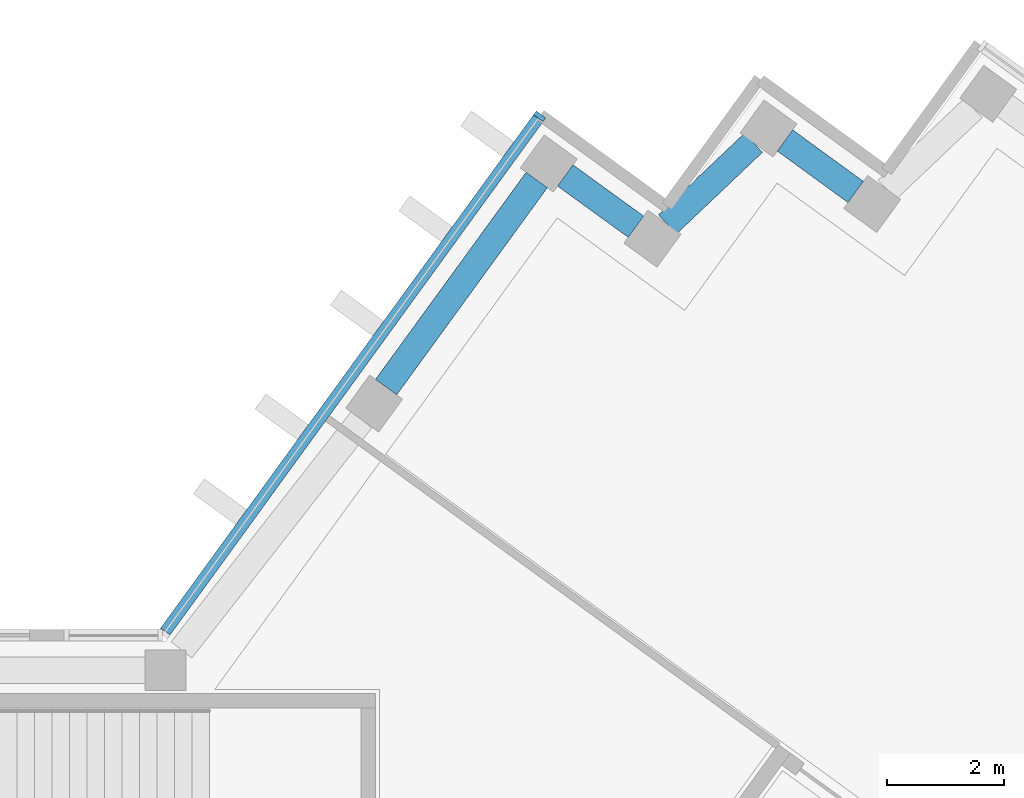
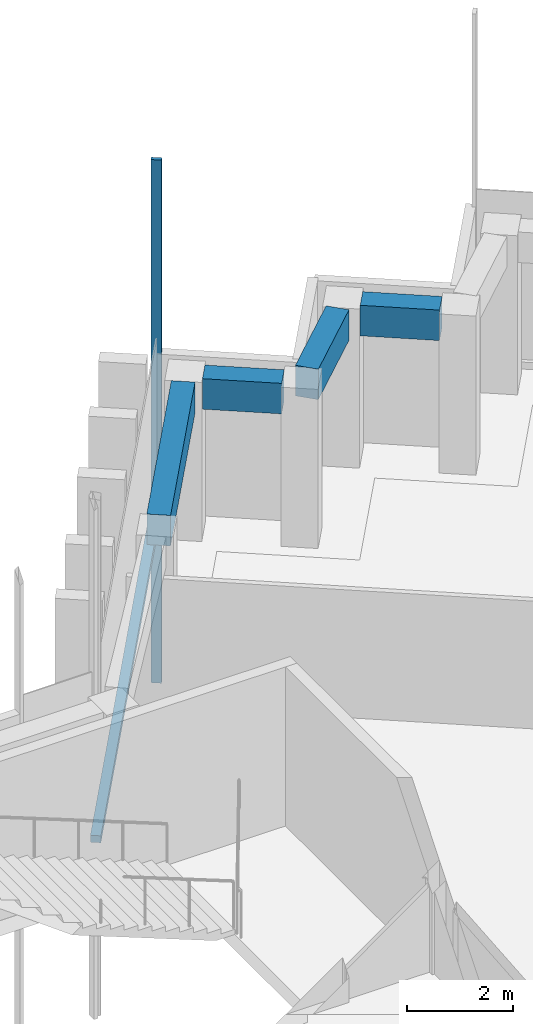
# One storey, part 4 of 14: 4 beams, 2 members, 1 element without a shape of its own.
"""IFC4 building model written with IfcOpenShell, lengths in metres."""

from ifc_helpers import new_model, si_unit, direction, frame, origin, origin_2d, place, context, subcontext, project, spatial, rectangle, extrude, material, material_profile, profile_set, type_object, element, aggregate, save


model = new_model("IFC4")

# Units and contexts
model_context = context("Model", 3, precision=1e-05, world=origin(), true_north=direction((0.0, 1.0)))
body_context = subcontext(model_context, "Body", "Model", "MODEL_VIEW")
ifc_project = project(units=[si_unit("LENGTHUNIT", "METRE"), si_unit("AREAUNIT", "SQUARE_METRE"), si_unit("VOLUMEUNIT", "CUBIC_METRE"), si_unit("PLANEANGLEUNIT", "RADIAN"), si_unit("MASSUNIT", "GRAM", prefix="KILO")], contexts=[model_context])

# Site, building, storey
site_placement = place(None, origin())
site = spatial("IfcSite", under=ifc_project, at=site_placement, CompositionType="ELEMENT")
building_placement = place(site_placement, origin())
building = spatial("IfcBuilding", under=site, at=building_placement, Name="Quipu Civic Tower", CompositionType="ELEMENT")
storey_placement = place(building_placement, frame((0.0, 0.0, 257.0)))
storey = spatial("IfcBuildingStorey", under=building, at=storey_placement, Name="L60", CompositionType="ELEMENT", Elevation=257.0)

# Curtain wall, member
ifc_material_1 = material(Name="Insulated glass unit", Category="glass")
curtain_wall_type = type_object("IfcCurtainWallType", Name="Office curtain wall CW1", PredefinedType="NOTDEFINED", material=ifc_material_1)
curtain_wall_placement = place(storey_placement, origin())
curtain_wall = element("IfcCurtainWall", 1, at=curtain_wall_placement, inside=storey, type_object=curtain_wall_type, Name="Office curtain wall CW1 L59 run 23", PredefinedType="NOTDEFINED")
ifc_material_2 = material(Name="Anodised aluminium", Category="aluminium")
ifc_material_profile_1 = material_profile(ifc_material_2, rectangle(XDim=0.199951171875, YDim=0.080078125, at=origin_2d()), Name="RECT 200x80")
ifc_profile_set_1 = profile_set([ifc_material_profile_1], Name="Anodised aluminium")
member_type_1 = type_object("IfcMemberType", Name="Mullion CW1", PredefinedType="MULLION", material=ifc_profile_set_1)
member_1_placement = place(storey_placement, frame((20.8125, 20.002685546875, -3.919921875), z_axis=(0.0, 0.0, 1.0), x_axis=(0.809015163947, -0.587787771652, 0.0)))
member_1 = element("IfcMember", 2, at=member_1_placement, type_object=member_type_1, Name="CW1 mullion 1", PredefinedType="MULLION", context=body_context, shape_type="SweptSolid", body=[
    extrude(rectangle(XDim=0.199951171875, YDim=0.080078125, at=origin_2d()), origin(), (0.0, 0.0, 1.0), 12.0),
])

# Beams
ifc_material_3 = material(Name="Concrete C50/60", Category="concrete")
ifc_material_profile_2 = material_profile(ifc_material_3, rectangle(XDim=0.449951171875, YDim=0.699951171875, at=origin_2d()), Name="RC450x700")
ifc_profile_set_2 = profile_set([ifc_material_profile_2], Name="Concrete C50/60")
beam_type = type_object("IfcBeamType", Name="Spandrel beam RC 450x700 C50/60", PredefinedType="SPANDREL", material=ifc_profile_set_2)
beam_1_placement = place(storey_placement, frame((26.236083984375, 18.70654296875, 3.300048828125), z_axis=(-0.808644589435, 0.588297482553, 0.0), x_axis=(-0.588297482553, -0.808644589435, 0.0)))
element("IfcBeam", 3, at=beam_1_placement, inside=storey, type_object=beam_type, Name="Spandrel beam L60 T-Ei.1-E22 to T-Ei.2-E22", PredefinedType="SPANDREL", context=body_context, shape_type="SweptSolid", body=[
    extrude(rectangle(XDim=0.449951171875, YDim=0.699951171875, at=origin_2d()), origin(), (0.0, 0.0, 1.0), 1.500244140625),
])
beam_2_placement = place(storey_placement, frame((24.48193359375, 19.5498046875, 3.300048828125), z_axis=(-0.72511931772, -0.6886232461, 0.0), x_axis=(0.6886232461, -0.72511931772, 0.0)))
element("IfcBeam", 4, at=beam_2_placement, inside=storey, type_object=beam_type, Name="Spandrel beam L60 T-Ei.2-E22 to T-Ei.3-E22", PredefinedType="SPANDREL", context=body_context, shape_type="SweptSolid", body=[
    extrude(rectangle(XDim=0.449951171875, YDim=0.699951171875, at=origin_2d()), origin(), (0.0, 0.0, 1.0), 2.03369140625),
])
beam_3_placement = place(storey_placement, frame((22.466064453125, 18.10986328125, 3.300048828125), z_axis=(-0.809461336076, 0.587173181776, 0.0), x_axis=(-0.587173181776, -0.809461336076, 0.0)))
element("IfcBeam", 5, at=beam_3_placement, inside=storey, type_object=beam_type, Name="Spandrel beam L60 T-Ei.3-E22 to T-Ei.4-E22", PredefinedType="SPANDREL", context=body_context, shape_type="SweptSolid", body=[
    extrude(rectangle(XDim=0.449951171875, YDim=0.699951171875, at=origin_2d()), origin(), (0.0, 0.0, 1.0), 1.498046875),
])
beam_4_placement = place(storey_placement, frame((20.76416015625, 18.911865234375, 3.300048828125), z_axis=(-0.588201428764, -0.808714460857, 0.0), x_axis=(0.808714460857, -0.588201428764, 0.0)))
element("IfcBeam", 6, at=beam_4_placement, inside=storey, type_object=beam_type, Name="Spandrel beam L60 T-Ei.4-E22 to E-IN-01", PredefinedType="SPANDREL", context=body_context, shape_type="SweptSolid", body=[
    extrude(rectangle(XDim=0.449951171875, YDim=0.699951171875, at=origin_2d()), origin(), (0.0, 0.0, 1.0), 4.394287109375),
])

# Member
ifc_material_4 = material(Name="Anodised aluminium", Category="aluminium")
ifc_material_profile_3 = material_profile(ifc_material_4, rectangle(XDim=0.199951171875, YDim=0.159912109375, at=origin_2d()), Name="RECT 200x160")
ifc_profile_set_3 = profile_set([ifc_material_profile_3], Name="Anodised aluminium")
member_type_2 = type_object("IfcMemberType", Name="Transom CW1", PredefinedType="USERDEFINED", material=ifc_profile_set_3)
member_2_placement = place(storey_placement, frame((20.788818359375, 19.97021484375, 0.080078125), z_axis=(-0.587796859727, -0.809008560953, 0.0), x_axis=(0.809008560953, -0.587796859727, 0.0)))
member_2 = element("IfcMember", 7, at=member_2_placement, type_object=member_type_2, Name="CW1 transom 1.2", ObjectType="TRANSOM", PredefinedType="USERDEFINED", context=body_context, shape_type="SweptSolid", body=[
    extrude(rectangle(XDim=0.199951171875, YDim=0.159912109375, at=origin_2d()), origin(), (0.0, 0.0, 1.0), 10.88427734375),
])

aggregate(curtain_wall, [member_1, member_2])

save(model, "model.ifc")
